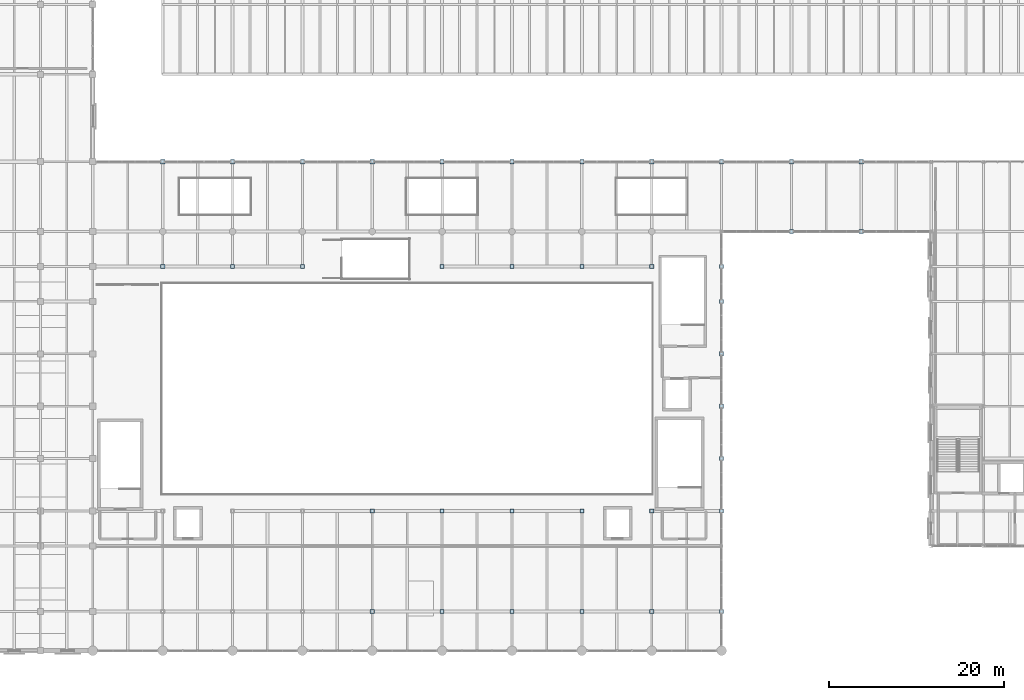
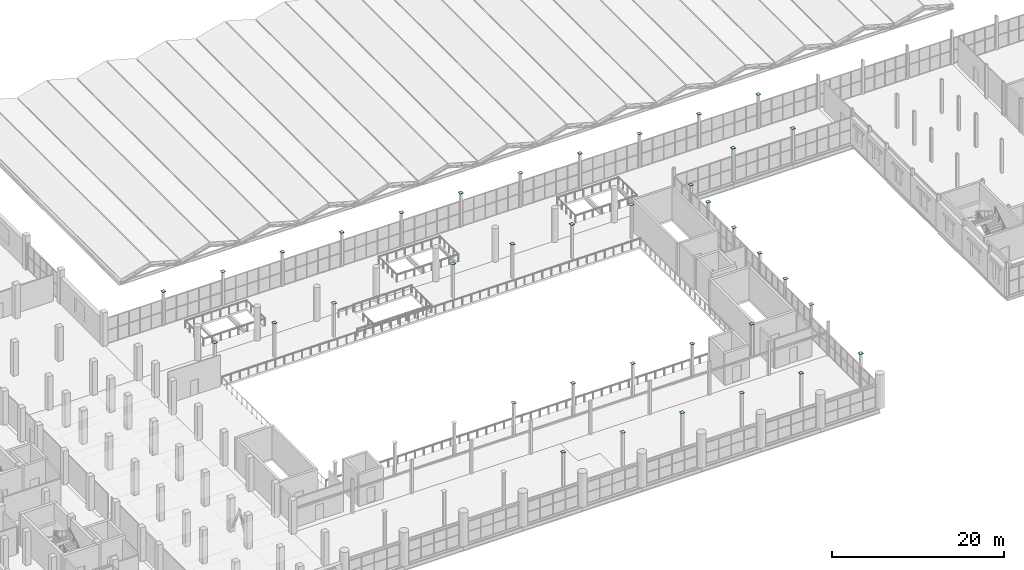
# One storey, part 94 of 114: 37 plates.
"""IFC4 building model written with IfcOpenShell, lengths in metres."""

from ifc_helpers import new_model, si_unit, direction, frame, origin, origin_2d, place, context, subcontext, project, spatial, rectangle, extrude, material, layer, layer_set, type_object, element, save


model = new_model("IFC4")

# Units and contexts
model_context = context("Model", 3, precision=1e-05, world=origin(), true_north=direction((0.0, 1.0)))
body_context = subcontext(model_context, "Body", "Model", "MODEL_VIEW")
ifc_project = project(units=[si_unit("LENGTHUNIT", "METRE"), si_unit("AREAUNIT", "SQUARE_METRE"), si_unit("VOLUMEUNIT", "CUBIC_METRE"), si_unit("PLANEANGLEUNIT", "RADIAN"), si_unit("MASSUNIT", "GRAM", prefix="KILO")], contexts=[model_context])

# Site, building, storey
site_placement = place(None, origin())
site = spatial("IfcSite", under=ifc_project, at=site_placement, CompositionType="ELEMENT")
building_placement = place(site_placement, origin())
building = spatial("IfcBuilding", under=site, at=building_placement, Name="Verrall Gate Interchange", CompositionType="ELEMENT")
storey_placement = place(building_placement, frame((0.0, 0.0, 6.60009765625)))
storey = spatial("IfcBuildingStorey", under=building, at=storey_placement, Name="L02", CompositionType="ELEMENT", Elevation=6.60009765625)

# Plates
ifc_material = material(Name="Structural Steel CSA G40.21 350WT Cat 4", Category="steel")
ifc_layer = layer(ifc_material, 0.0400390625)
ifc_layer_set = layer_set([ifc_layer], Name="Structural Steel CSA G40.21 350WT Cat 4")
plate_type = type_object("IfcPlateType", Name="BP-01 Base Plate 40", PredefinedType="USERDEFINED", material=ifc_layer_set)
for number, where, z_axis, x_axis, name in (
    (1, (44.0, 44.0, 4.7998046875), (0.0, 0.0, 1.0), (1.0, 0.0, 0.0), "L02 Hollow Column Top Cap Plate 0853"),
    (2, (44.0, 56.0, 4.7998046875), (0.0, 0.0, 1.0), (1.0, 0.0, 0.0), "L02 Hollow Column Top Cap Plate 0861"),
    (3, (52.0, 44.0, 4.7998046875), (0.0, 0.0, 1.0), (1.0, 0.0, 0.0), "L02 Hollow Column Top Cap Plate 0891"),
    (4, (52.0, 56.0, 4.7998046875), (0.0, 0.0, 1.0), (1.0, 0.0, 0.0), "L02 Hollow Column Top Cap Plate 0899"),
    (5, (60.0, 44.0, 4.7998046875), (0.0, 0.0, 1.0), (1.0, 0.0, 0.0), "L02 Hollow Column Top Cap Plate 0927"),
    (6, (60.0, 56.0, 4.7998046875), (0.0, 0.0, 1.0), (1.0, 0.0, 0.0), "L02 Hollow Column Top Cap Plate 0935"),
    (7, (68.0, 4.5, 4.7998046875), (0.0, 0.0, 1.0), (1.0, 0.0, 0.0), "L02 Hollow Column Top Cap Plate 0945"),
    (8, (68.0, 16.0, 4.7998046875), (0.0, 0.0, 1.0), (1.0, 0.0, 0.0), "L02 Hollow Column Top Cap Plate 0953"),
    (9, (68.0, 56.0, 4.7998046875), (0.0, 0.0, 1.0), (1.0, 0.0, 0.0), "L02 Hollow Column Top Cap Plate 0969"),
    (10, (76.0, 4.5, 4.7998046875), (0.0, 0.0, 1.0), (1.0, 0.0, 0.0), "L02 Hollow Column Top Cap Plate 0979"),
    (11, (76.0, 16.0, 4.7998046875), (0.0, 0.0, 1.0), (1.0, 0.0, 0.0), "L02 Hollow Column Top Cap Plate 0987"),
    (12, (76.0, 44.0, 4.7998046875), (0.0, 0.0, 1.0), (1.0, 0.0, 0.0), "L02 Hollow Column Top Cap Plate 0999"),
    (13, (76.0, 56.0, 4.7998046875), (0.0, 0.0, 1.0), (1.0, 0.0, 0.0), "L02 Hollow Column Top Cap Plate 1007"),
    (14, (84.0, 4.5, 4.7998046875), (0.0, 0.0, 1.0), (1.0, 0.0, 0.0), "L02 Hollow Column Top Cap Plate 1017"),
    (15, (84.0, 16.0, 4.7998046875), (0.0, 0.0, 1.0), (1.0, 0.0, 0.0), "L02 Hollow Column Top Cap Plate 1025"),
    (16, (84.0, 44.0, 4.7998046875), (0.0, 0.0, 1.0), (1.0, 0.0, 0.0), "L02 Hollow Column Top Cap Plate 1037"),
    (17, (84.0, 56.0, 4.7998046875), (0.0, 0.0, 1.0), (1.0, 0.0, 0.0), "L02 Hollow Column Top Cap Plate 1045"),
    (18, (92.0, 4.5, 4.7998046875), (0.0, 0.0, 1.0), (1.0, 0.0, 0.0), "L02 Hollow Column Top Cap Plate 1055"),
    (19, (92.0, 16.0, 4.7998046875), (0.0, 0.0, 1.0), (1.0, 0.0, 0.0), "L02 Hollow Column Top Cap Plate 1063"),
    (20, (92.0, 44.0, 4.7998046875), (0.0, 0.0, 1.0), (1.0, 0.0, 0.0), "L02 Hollow Column Top Cap Plate 1073"),
    (21, (92.0, 56.0, 4.7998046875), (0.0, 0.0, 1.0), (1.0, 0.0, 0.0), "L02 Hollow Column Top Cap Plate 1081"),
    (22, (100.0, 4.5, 4.7998046875), (0.0, 0.0, 1.0), (1.0, 0.0, 0.0), "L02 Hollow Column Top Cap Plate 1091"),
    (23, (100.0, 16.0, 4.7998046875), (0.0, 0.0, 1.0), (1.0, 0.0, 0.0), "L02 Hollow Column Top Cap Plate 1099"),
    (24, (100.0, 44.0, 4.7998046875), (0.0, 0.0, 1.0), (1.0, 0.0, 0.0), "L02 Hollow Column Top Cap Plate 1111"),
    (25, (100.0, 56.0, 4.7998046875), (0.0, 0.0, 1.0), (1.0, 0.0, 0.0), "L02 Hollow Column Top Cap Plate 1119"),
    (26, (108.0, 4.5, 4.7998046875), (0.0, 0.0, 1.0), (1.0, 0.0, 0.0), "L02 Hollow Column Top Cap Plate 1129"),
    (27, (108.0, 16.0, 4.7998046875), (0.0, 0.0, 1.0), (1.0, 0.0, 0.0), "L02 Hollow Column Top Cap Plate 1137"),
    (28, (108.0, 22.0, 4.7998046875), (0.0, 0.0, 1.0), (1.0, 0.0, 0.0), "L02 Hollow Column Top Cap Plate 1141"),
    (29, (108.0, 28.0, 4.7998046875), (0.0, 0.0, 1.0), (1.0, 0.0, 0.0), "L02 Hollow Column Top Cap Plate 1145"),
    (30, (108.0, 34.0, 4.7998046875), (0.0, 0.0, 1.0), (1.0, 0.0, 0.0), "L02 Hollow Column Top Cap Plate 1149"),
    (31, (108.0, 40.0, 4.7998046875), (0.0, 0.0, 1.0), (1.0, 0.0, 0.0), "L02 Hollow Column Top Cap Plate 1153"),
    (32, (108.0, 44.0, 4.7998046875), (0.0, 0.0, 1.0), (1.0, 0.0, 0.0), "L02 Hollow Column Top Cap Plate 1157"),
    (33, (108.0, 56.0, 4.7998046875), (0.0, 0.0, 1.0), (1.0, 0.0, 0.0), "L02 Hollow Column Top Cap Plate 1165"),
    (34, (116.0, 48.0, 4.7998046875), (0.0, 0.0, 1.0), (1.0, 0.0, 0.0), "L02 Hollow Column Top Cap Plate 1183"),
    (35, (116.0, 56.0, 4.7998046875), (0.0, 0.0, 1.0), (1.0, 0.0, 0.0), "L02 Hollow Column Top Cap Plate 1187"),
    (36, (124.0, 48.0, 4.7998046875), (0.0, 0.0, 1.0), (1.0, 0.0, 0.0), "L02 Hollow Column Top Cap Plate 1205"),
    (37, (124.0, 56.0, 4.7998046875), (0.0, 0.0, 1.0), (1.0, 0.0, 0.0), "L02 Hollow Column Top Cap Plate 1209"),
):
    element("IfcPlate", number, at=place(storey_placement, frame(where, z_axis=z_axis, x_axis=x_axis)), inside=storey, type_object=plate_type, Name=name, ObjectType="BASE_PLATE", PredefinedType="USERDEFINED", context=body_context, shape_type="SweptSolid", body=[
        extrude(rectangle(XDim=0.47998046875, YDim=0.47998046875, at=origin_2d()), origin(), (0.0, 0.0, 1.0), 0.0400390625),
    ])

save(model, "model.ifc")
